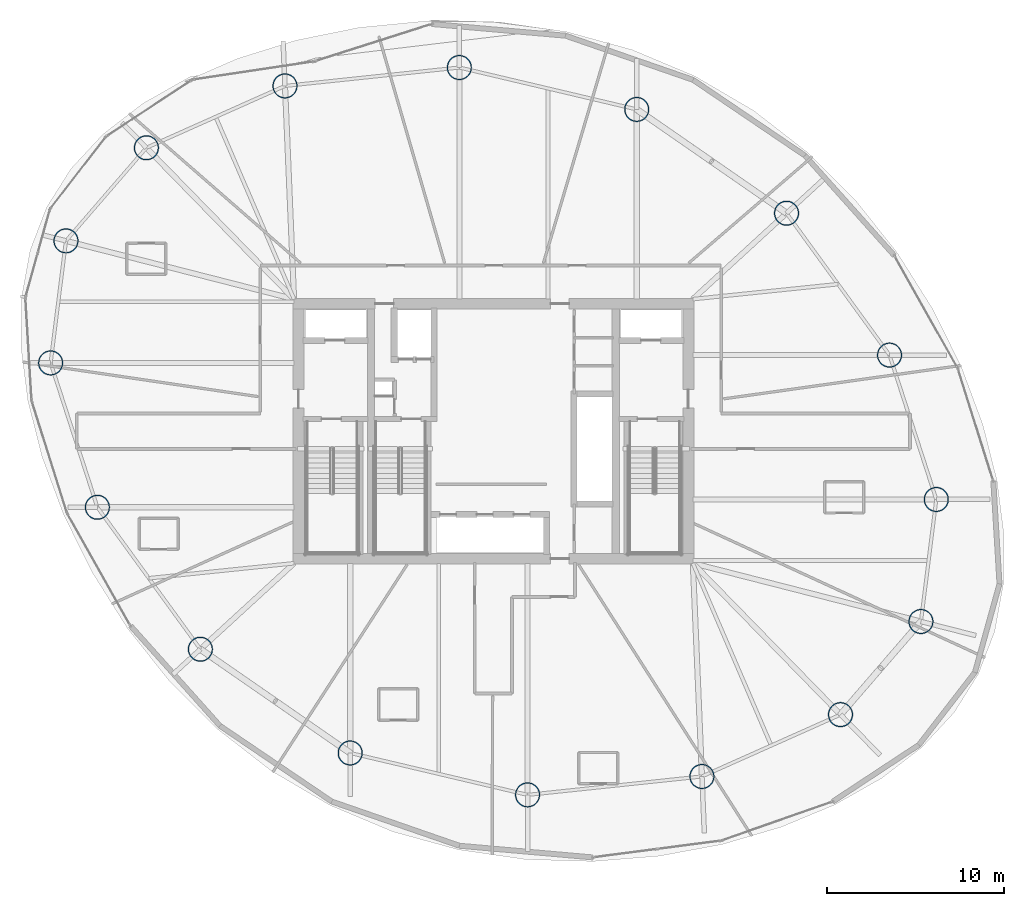
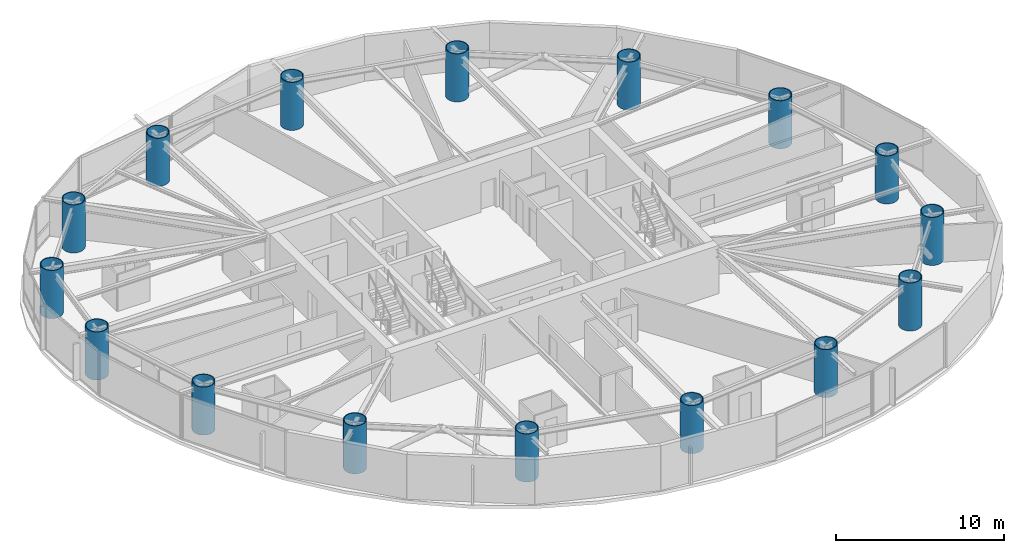
# One storey, part 1 of 22: 16 columns.
"""IFC4 building model written with IfcOpenShell, lengths in metres."""

import ifcopenshell
import ifcopenshell.guid

model = None  # the IFC model being written
_history = None  # IfcOwnerHistory: only IFC2X3 demands one
_inside = {}  # id of a spatial element -> (the spatial element, [elements in it])
_under = {}  # id of a project, library or spatial element -> (it, [spatial elements below it])
_declared = {}  # id of a project -> (the project, [libraries it declares])
_typed = {}  # id of a type object -> (the type object, [elements of that type])
_made_of = {}  # id of a material, layer set ... -> (it, [elements and type objects made of it])


def new_model(schema):
    """Start an empty IFC model of exactly this schema.

    Asked for "IFC4X3", IfcOpenShell would pick the latest addendum, in which some entities
    have other attributes; the version numbers below select the first issue.
    IFC2X3 requires an IfcOwnerHistory on every rooted entity: one is made here for all.
    """
    global model, _history
    if schema == "IFC4X3":
        model = ifcopenshell.file(schema_version=(4, 3, 0, 0))
    else:
        model = ifcopenshell.file(schema=schema)
    _inside.clear()
    _under.clear()
    _declared.clear()
    _typed.clear()
    _made_of.clear()
    _history = None
    if model.schema == "IFC2X3":
        org = make("IfcOrganization", Name="unknown")
        user = make(
            "IfcPersonAndOrganization",
            ThePerson=make("IfcPerson", FamilyName="unknown"),
            TheOrganization=org,
        )
        app = make(
            "IfcApplication",
            ApplicationDeveloper=org,
            Version="unknown",
            ApplicationFullName="unknown",
            ApplicationIdentifier="unknown",
        )
        _history = make(
            "IfcOwnerHistory",
            OwningUser=user,
            OwningApplication=app,
            ChangeAction="ADDED",
            CreationDate=0,
        )
    return model


def make(cls, **values):
    """One entity of the class cls with the attributes given. An attribute that is None is left unset."""
    return model.create_entity(
        cls, **{name: value for name, value in values.items() if value is not None}
    )


def rooted(cls, **values):
    """An entity with a GlobalId (a new one), such as an element, a storey or a relation."""
    return make(cls, GlobalId=ifcopenshell.guid.new(), OwnerHistory=_history, **values)


def si_unit(unit_type, name, prefix=None):
    """IfcSIUnit, for example si_unit("LENGTHUNIT", "METRE", prefix="MILLI")."""
    return make("IfcSIUnit", UnitType=unit_type, Prefix=prefix, Name=name)


def assignment(units):
    """IfcUnitAssignment: the units of a project."""
    return None if units is None else make("IfcUnitAssignment", Units=units)


def point(xyz):
    """IfcCartesianPoint."""
    return None if xyz is None else make("IfcCartesianPoint", Coordinates=xyz)


def direction(xyz):
    """IfcDirection."""
    return None if xyz is None else make("IfcDirection", DirectionRatios=xyz)


def frame(location, z_axis=None, x_axis=None):
    """IfcAxis2Placement3D, a coordinate frame: its origin and axes. An axis left out is left unset."""
    return make(
        "IfcAxis2Placement3D",
        Location=point(location),
        Axis=direction(z_axis),
        RefDirection=direction(x_axis),
    )


def frame_2d(location, x_axis=None):
    """IfcAxis2Placement2D, a coordinate frame in the plane: its origin and x axis."""
    return make(
        "IfcAxis2Placement2D", Location=point(location), RefDirection=direction(x_axis)
    )


def origin():
    """The frame at (0, 0, 0) with its axes left unset."""
    return frame((0.0, 0.0, 0.0))


def origin_2d():
    """The frame at (0, 0) in the plane with its x axis left unset."""
    return frame_2d((0.0, 0.0))


def place(relative_to, where):
    """IfcLocalPlacement: puts the frame where relative to a parent placement (None: the world)."""
    return make(
        "IfcLocalPlacement", PlacementRelTo=relative_to, RelativePlacement=where
    )


def context(
    kind, dimensions, precision=None, world=None, true_north=None, identifier=None
):
    """IfcGeometricRepresentationContext, for example the 3D "Model" context."""
    return make(
        "IfcGeometricRepresentationContext",
        ContextIdentifier=identifier,
        ContextType=kind,
        CoordinateSpaceDimension=dimensions,
        Precision=precision,
        WorldCoordinateSystem=world,
        TrueNorth=true_north,
    )


def subcontext(parent, identifier, kind, view, scale=None):
    """IfcGeometricRepresentationSubContext, for example "Body" below "Model"."""
    return make(
        "IfcGeometricRepresentationSubContext",
        ContextIdentifier=identifier,
        ContextType=kind,
        ParentContext=parent,
        TargetScale=scale,
        TargetView=view,
    )


def project(units=None, contexts=None):
    """IfcProject with its units and contexts."""
    return rooted(
        "IfcProject",
        Name="project",
        RepresentationContexts=contexts,
        UnitsInContext=assignment(units),
    )


def spatial(cls, under=None, at=None, **own):
    """A site, building, storey or space (cls), placed at a placement, below another one or the project."""
    s = rooted(cls, ObjectPlacement=at, **own)
    if under is not None:
        _under.setdefault(under.id(), (under, []))[1].append(s)
    return s


def profile(cls, at=None, kind="AREA", **sizes):
    """A parametric profile (cls). Its sizes go by their IFC names, for example OverallWidth=200.0."""
    return make(cls, ProfileType=kind, Position=at, **sizes)


def hollow_circle(**sizes):
    """IfcCircleHollowProfileDef."""
    return profile("IfcCircleHollowProfileDef", **sizes)


def extrude(swept, where, along, depth):
    """IfcExtrudedAreaSolid: the profile swept, set in the frame where, extruded along a direction by depth."""
    return make(
        "IfcExtrudedAreaSolid",
        SweptArea=swept,
        Position=where,
        ExtrudedDirection=direction(along),
        Depth=depth,
    )


def shape(context_of_items, identifier, shape_type, items):
    """IfcShapeRepresentation: the items that make up one representation, for example the "Body"."""
    return make(
        "IfcShapeRepresentation",
        ContextOfItems=context_of_items,
        RepresentationIdentifier=identifier,
        RepresentationType=shape_type,
        Items=items,
    )


def material(Name=None, Category=None):
    """IfcMaterial."""
    return make("IfcMaterial", Name=Name, Category=Category)


def material_profile(
    of_material, cross_section, Name=None, Category=None, Priority=None
):
    """IfcMaterialProfile: a cross section and its material."""
    return make(
        "IfcMaterialProfile",
        Name=Name,
        Material=of_material,
        Profile=cross_section,
        Priority=Priority,
        Category=Category,
    )


def profile_set(profiles, Name=None, composite=None):
    """IfcMaterialProfileSet."""
    return make(
        "IfcMaterialProfileSet",
        Name=Name,
        MaterialProfiles=profiles,
        CompositeProfile=composite,
    )


def made_of(thing, what):
    """Note that an element or type object is made of a material, layer set ...; save() writes the relation."""
    if what is not None:
        _made_of.setdefault(what.id(), (what, []))[1].append(thing)
    return thing


def type_object(cls, material=None, **own):
    """A type object (cls), such as IfcWallType, which elements share."""
    return made_of(rooted(cls, **own), material)


def element(
    cls,
    number,
    at=None,
    inside=None,
    cuts=None,
    type_object=None,
    material=None,
    context=None,
    identifier="Body",
    shape_type=None,
    held_by="IfcProductDefinitionShape",
    body=None,
    shapes=None,
    **own,
):
    """One element of the class cls, such as IfcWall. Its Tag is "e" and its number.

    at: its placement. inside: the storey or other place that contains it. cuts: it is an
    opening in that element (IfcRelVoidsElement). A single representation is given by context,
    identifier, shape_type and body (its items); several are given by shapes. held_by: the class
    of the entity that holds the representations. save() writes the other relations.
    """
    e = rooted(cls, Tag="e%d" % number, ObjectPlacement=at, **own)
    if body is not None:
        shapes = [shape(context, identifier, shape_type, body)]
    if shapes is not None:
        e.Representation = make(held_by, Representations=shapes)
    if inside is not None:
        _inside.setdefault(inside.id(), (inside, []))[1].append(e)
    if cuts is not None:
        rooted(
            "IfcRelVoidsElement", RelatingBuildingElement=cuts, RelatedOpeningElement=e
        )
    if type_object is not None:
        _typed.setdefault(type_object.id(), (type_object, []))[1].append(e)
    return made_of(e, material)


def aggregate(whole, parts):
    """IfcRelAggregates: a whole, such as a stair, and the parts it consists of."""
    return rooted("IfcRelAggregates", RelatingObject=whole, RelatedObjects=parts)


def save(model, path):
    """Write the relations noted so far, then the file.

    IfcRelAggregates (storeys below a building ...), IfcRelContainedInSpatialStructure (elements
    in a storey), IfcRelDefinesByType, IfcRelAssociatesMaterial and IfcRelDeclares: one each for
    every whole, place, type object, material and project.
    """
    for whole, parts in _under.values():
        aggregate(whole, parts)
    for where, things in _inside.values():
        rooted(
            "IfcRelContainedInSpatialStructure",
            RelatedElements=things,
            RelatingStructure=where,
        )
    for kind, things in _typed.values():
        rooted("IfcRelDefinesByType", RelatedObjects=things, RelatingType=kind)
    for what, things in _made_of.values():
        rooted("IfcRelAssociatesMaterial", RelatedObjects=things, RelatingMaterial=what)
    for by, libraries in _declared.values():
        rooted("IfcRelDeclares", RelatingContext=by, RelatedDefinitions=libraries)
    model.write(path)


model = new_model("IFC4")

# Units and contexts
model_context = context("Model", 3, precision=1e-05, world=origin(), true_north=direction((0.0, 1.0)))
body_context = subcontext(model_context, "Body", "Model", "MODEL_VIEW")
ifc_project = project(units=[si_unit("LENGTHUNIT", "METRE"), si_unit("AREAUNIT", "SQUARE_METRE"), si_unit("VOLUMEUNIT", "CUBIC_METRE"), si_unit("PLANEANGLEUNIT", "RADIAN"), si_unit("MASSUNIT", "GRAM", prefix="KILO")], contexts=[model_context])

# Site, building, storey
site_placement = place(None, origin())
site = spatial("IfcSite", under=ifc_project, at=site_placement, CompositionType="ELEMENT")
building_placement = place(site_placement, origin())
building = spatial("IfcBuilding", under=site, at=building_placement, Name="Bramvorn Convention Spire", CompositionType="ELEMENT")
storey_placement = place(building_placement, frame((0.0, 0.0, 137.800048828125)))
storey = spatial("IfcBuildingStorey", under=building, at=storey_placement, Name="L34", CompositionType="ELEMENT", Elevation=137.800048828125)

# Columns
ifc_material = material(Name="Steel CSA G40.21 Grade 350 (350W)", Category="steel")
ifc_material_profile = material_profile(ifc_material, hollow_circle(Radius=0.699951171875, WallThickness=0.054931640625, at=origin_2d()))
ifc_profile_set = profile_set([ifc_material_profile], Name="Steel CSA G40.21 Grade 350 (350W) - CFT1400X55")
column_type = type_object("IfcColumnType", Name="COL-CFT1400X55", PredefinedType="COLUMN", material=ifc_profile_set)
for number, where, z_axis, x_axis, name in (
    (1, (62.11767578125, 15.26220703125, 0.0), (0.0, 0.0, 1.0), (1.0, 0.0, 0.0), "L34 composite CFT mega-column MC01"),
    (2, (62.983642578125, 22.148193359375, 0.0), (0.0, 0.0, 1.0), (1.0, 0.0, 0.0), "L34 composite CFT mega-column MC02"),
    (3, (60.345703125, 30.293212890625, 0.0), (0.0, 0.0, 1.0), (1.0, 0.0, 0.0), "L34 composite CFT mega-column MC03"),
    (4, (54.534912109375, 38.299072265625, 0.0), (0.0, 0.0, 1.0), (1.0, 0.0, 0.0), "L34 composite CFT mega-column MC04"),
    (5, (46.082763671875, 44.154052734375, 0.0), (0.0, 0.0, 1.0), (1.0, 0.0, 0.0), "L34 composite CFT mega-column MC05"),
    (6, (36.075927734375, 46.517333984375, 0.0), (0.0, 0.0, 1.0), (1.0, 0.0, 0.0), "L34 composite CFT mega-column MC06"),
    (7, (26.23828125, 45.478759765625, 0.0), (0.0, 0.0, 1.0), (1.0, 0.0, 0.0), "L34 composite CFT mega-column MC07"),
    (8, (18.420166015625, 41.9892578125, 0.0), (0.0, 0.0, 1.0), (1.0, 0.0, 0.0), "L34 composite CFT mega-column MC08"),
    (9, (13.88232421875, 36.73779296875, 0.0), (0.0, 0.0, 1.0), (1.0, 0.0, 0.0), "L34 composite CFT mega-column MC09"),
    (10, (13.016357421875, 29.851806640625, 0.0), (0.0, 0.0, 1.0), (1.0, 0.0, 0.0), "L34 composite CFT mega-column MC10"),
    (11, (15.654296875, 21.706787109375, 0.0), (0.0, 0.0, 1.0), (1.0, 0.0, 0.0), "L34 composite CFT mega-column MC11"),
    (12, (21.465087890625, 13.700927734375, 0.0), (0.0, 0.0, 1.0), (1.0, 0.0, 0.0), "L34 composite CFT mega-column MC12"),
    (13, (29.917236328125, 7.845947265625, 0.0), (0.0, 0.0, 1.0), (1.0, 0.0, 0.0), "L34 composite CFT mega-column MC13"),
    (14, (39.924072265625, 5.482666015625, 0.0), (0.0, 0.0, 1.0), (1.0, 0.0, 0.0), "L34 composite CFT mega-column MC14"),
    (15, (49.76171875, 6.521240234375, 0.0), (0.0, 0.0, 1.0), (1.0, 0.0, 0.0), "L34 composite CFT mega-column MC15"),
    (16, (57.579833984375, 10.0107421875, 0.0), (0.0, 0.0, 1.0), (1.0, 0.0, 0.0), "L34 composite CFT mega-column MC16"),
):
    element("IfcColumn", number, at=place(storey_placement, frame(where, z_axis=z_axis, x_axis=x_axis)), inside=storey, type_object=column_type, Name=name, PredefinedType="COLUMN", context=body_context, shape_type="SweptSolid", body=[
        extrude(hollow_circle(Radius=0.699951171875, WallThickness=0.054931640625, at=origin_2d()), origin(), (0.0, 0.0, 1.0), 3.5),
    ])

save(model, "model.ifc")
